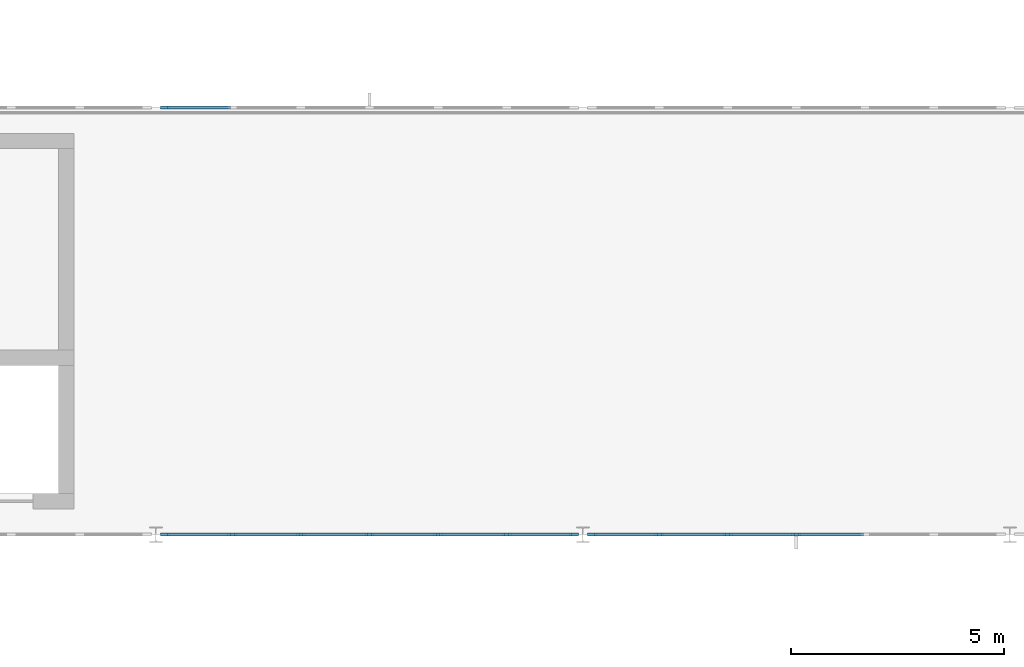
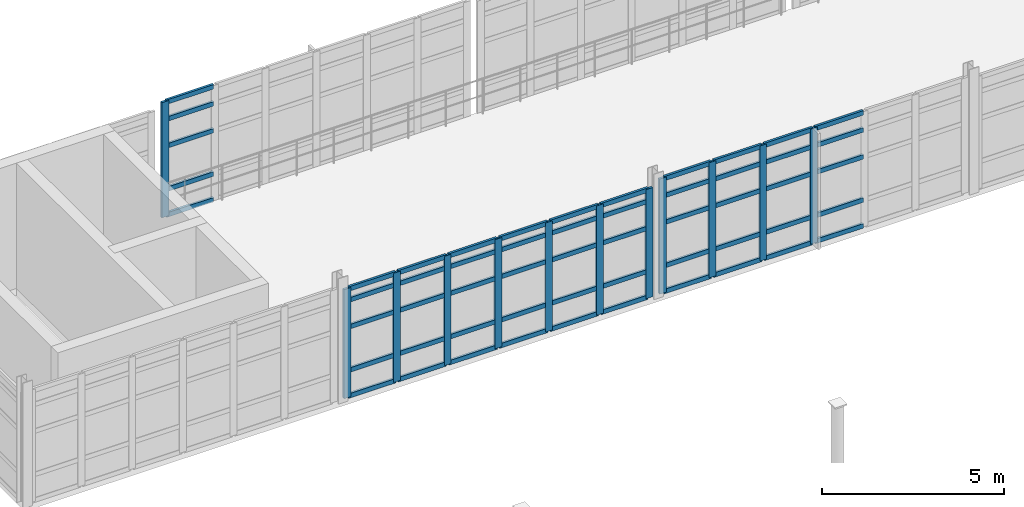
# One storey, part 41 of 122: 67 members, 3 elements without a shape of their own.
"""IFC4 building model written with IfcOpenShell, lengths in metres."""

from ifc_helpers import new_model, si_unit, direction, frame, origin, origin_2d, place, context, subcontext, project, spatial, rectangle, extrude, material, layer, layer_set, material_profile, profile_set, type_object, element, aggregate, save


model = new_model("IFC4")

# Units and contexts
model_context = context("Model", 3, precision=1e-05, world=origin(), true_north=direction((0.0, 1.0)))
body_context = subcontext(model_context, "Body", "Model", "MODEL_VIEW")
ifc_project = project(units=[si_unit("LENGTHUNIT", "METRE"), si_unit("AREAUNIT", "SQUARE_METRE"), si_unit("VOLUMEUNIT", "CUBIC_METRE"), si_unit("PLANEANGLEUNIT", "RADIAN"), si_unit("MASSUNIT", "GRAM", prefix="KILO"), si_unit("THERMODYNAMICTEMPERATUREUNIT", "KELVIN"), si_unit("POWERUNIT", "WATT")], contexts=[model_context])

# Site, building, storey
site_placement = place(None, origin())
site = spatial("IfcSite", under=ifc_project, at=site_placement, CompositionType="ELEMENT")
building_placement = place(site_placement, origin())
building = spatial("IfcBuilding", under=site, at=building_placement, Name="Korenveer Ferry Terminal", CompositionType="ELEMENT")
storey_placement = place(building_placement, frame((0.0, 0.0, 10.199951171875)))
storey = spatial("IfcBuildingStorey", under=building, at=storey_placement, Name="L02", CompositionType="ELEMENT", Elevation=10.199951171875)

# Curtain wall, members
ifc_material_1 = material(Name="Unitised bronze-and-glass curtain wall", Category="glass")
ifc_layer_1 = layer(ifc_material_1, 0.219970703125)
ifc_layer_set_1 = layer_set([ifc_layer_1], Name="Unitised bronze-and-glass curtain wall")
curtain_wall_type_1 = type_object("IfcCurtainWallType", Name="ENV-CW-91", PredefinedType="USERDEFINED", material=ifc_layer_set_1)
curtain_wall_1_placement = place(storey_placement, frame((63.179931640625, 50.0, 0.0)))
curtain_wall_1 = element("IfcCurtainWall", 1, at=curtain_wall_1_placement, inside=storey, type_object=curtain_wall_type_1, Name="Lancet curtain wall CWX-L02-X63-73-Y50-50", ObjectType="UNITISED CURTAIN WALL", PredefinedType="USERDEFINED")
ifc_material_2 = material(Name="Anodised bronze aluminium", Category="aluminium")
ifc_material_profile_1 = material_profile(ifc_material_2, rectangle(XDim=0.074951171875, YDim=0.219970703125, at=origin_2d()), Name="ALU 75x220")
ifc_profile_set_1 = profile_set([ifc_material_profile_1], Name="Anodised bronze aluminium")
member_type_1 = type_object("IfcMemberType", Name="ENV-CWM-75X220", PredefinedType="MULLION", material=ifc_profile_set_1)
member_1_placement = place(storey_placement, frame((63.217529296875, 50.0, 0.0), z_axis=(0.0, 0.0, 1.0), x_axis=(0.0, 1.0, 0.0)))
member_1 = element("IfcMember", 2, at=member_1_placement, type_object=member_type_1, Name="CW-91 mullion 1", PredefinedType="MULLION", context=body_context, shape_type="SweptSolid", body=[
    extrude(rectangle(XDim=0.074951171875, YDim=0.219970703125, at=origin_2d()), origin(), (0.0, 0.0, 1.0), 3.66015625),
])
member_2_placement = place(storey_placement, frame((64.78662109375, 50.0, 0.0), z_axis=(0.0, 0.0, 1.0), x_axis=(0.0, 1.0, 0.0)))
member_2 = element("IfcMember", 3, at=member_2_placement, type_object=member_type_1, Name="CW-91 mullion 2", PredefinedType="MULLION", context=body_context, shape_type="SweptSolid", body=[
    extrude(rectangle(XDim=0.074951171875, YDim=0.219970703125, at=origin_2d()), origin(), (0.0, 0.0, 1.0), 3.66015625),
])
member_3_placement = place(storey_placement, frame((66.393310546875, 50.0, 0.0), z_axis=(0.0, 0.0, 1.0), x_axis=(0.0, 1.0, 0.0)))
member_3 = element("IfcMember", 4, at=member_3_placement, type_object=member_type_1, Name="CW-91 mullion 3", PredefinedType="MULLION", context=body_context, shape_type="SweptSolid", body=[
    extrude(rectangle(XDim=0.074951171875, YDim=0.219970703125, at=origin_2d()), origin(), (0.0, 0.0, 1.0), 3.66015625),
])
member_4_placement = place(storey_placement, frame((68.0, 50.0, 0.0), z_axis=(0.0, 0.0, 1.0), x_axis=(0.0, 1.0, 0.0)))
member_4 = element("IfcMember", 5, at=member_4_placement, type_object=member_type_1, Name="CW-91 mullion 4", PredefinedType="MULLION", context=body_context, shape_type="SweptSolid", body=[
    extrude(rectangle(XDim=0.074951171875, YDim=0.219970703125, at=origin_2d()), origin(), (0.0, 0.0, 1.0), 3.66015625),
])
member_5_placement = place(storey_placement, frame((69.606689453125, 50.0, 0.0), z_axis=(0.0, 0.0, 1.0), x_axis=(0.0, 1.0, 0.0)))
member_5 = element("IfcMember", 6, at=member_5_placement, type_object=member_type_1, Name="CW-91 mullion 5", PredefinedType="MULLION", context=body_context, shape_type="SweptSolid", body=[
    extrude(rectangle(XDim=0.074951171875, YDim=0.219970703125, at=origin_2d()), origin(), (0.0, 0.0, 1.0), 3.66015625),
])
member_6_placement = place(storey_placement, frame((71.21337890625, 50.0, 0.0), z_axis=(0.0, 0.0, 1.0), x_axis=(0.0, 1.0, 0.0)))
member_6 = element("IfcMember", 7, at=member_6_placement, type_object=member_type_1, Name="CW-91 mullion 6", PredefinedType="MULLION", context=body_context, shape_type="SweptSolid", body=[
    extrude(rectangle(XDim=0.074951171875, YDim=0.219970703125, at=origin_2d()), origin(), (0.0, 0.0, 1.0), 3.66015625),
])
member_7_placement = place(storey_placement, frame((72.782470703125, 50.0, 0.0), z_axis=(0.0, 0.0, 1.0), x_axis=(0.0, 1.0, 0.0)))
member_7 = element("IfcMember", 8, at=member_7_placement, type_object=member_type_1, Name="CW-91 mullion 7", PredefinedType="MULLION", context=body_context, shape_type="SweptSolid", body=[
    extrude(rectangle(XDim=0.074951171875, YDim=0.219970703125, at=origin_2d()), origin(), (0.0, 0.0, 1.0), 3.66015625),
])

ifc_layer_2 = layer(ifc_material_1, 0.219970703125)
ifc_layer_set_2 = layer_set([ifc_layer_2], Name="Unitised bronze-and-glass curtain wall")
curtain_wall_type_2 = type_object("IfcCurtainWallType", Name="ENV-CW-92", PredefinedType="USERDEFINED", material=ifc_layer_set_2)
curtain_wall_2_placement = place(storey_placement, frame((73.179931640625, 50.0, 0.0)))
curtain_wall_2 = element("IfcCurtainWall", 9, at=curtain_wall_2_placement, inside=storey, type_object=curtain_wall_type_2, Name="Lancet curtain wall CWX-L02-X73-83-Y50-50", ObjectType="UNITISED CURTAIN WALL", PredefinedType="USERDEFINED")
member_8_placement = place(storey_placement, frame((73.217529296875, 50.0, 0.0), z_axis=(0.0, 0.0, 1.0), x_axis=(0.0, 1.0, 0.0)))
member_8 = element("IfcMember", 10, at=member_8_placement, type_object=member_type_1, Name="CW-92 mullion 1", PredefinedType="MULLION", context=body_context, shape_type="SweptSolid", body=[
    extrude(rectangle(XDim=0.074951171875, YDim=0.219970703125, at=origin_2d()), origin(), (0.0, 0.0, 1.0), 3.860107421875),
])
member_9_placement = place(storey_placement, frame((74.78662109375, 50.0, 0.0), z_axis=(0.0, 0.0, 1.0), x_axis=(0.0, 1.0, 0.0)))
member_9 = element("IfcMember", 11, at=member_9_placement, type_object=member_type_1, Name="CW-92 mullion 2", PredefinedType="MULLION", context=body_context, shape_type="SweptSolid", body=[
    extrude(rectangle(XDim=0.074951171875, YDim=0.219970703125, at=origin_2d()), origin(), (0.0, 0.0, 1.0), 3.860107421875),
])
member_10_placement = place(storey_placement, frame((76.393310546875, 50.0, 0.0), z_axis=(0.0, 0.0, 1.0), x_axis=(0.0, 1.0, 0.0)))
member_10 = element("IfcMember", 12, at=member_10_placement, type_object=member_type_1, Name="CW-92 mullion 3", PredefinedType="MULLION", context=body_context, shape_type="SweptSolid", body=[
    extrude(rectangle(XDim=0.074951171875, YDim=0.219970703125, at=origin_2d()), origin(), (0.0, 0.0, 1.0), 3.860107421875),
])
member_11_placement = place(storey_placement, frame((78.0, 50.0, 0.0), z_axis=(0.0, 0.0, 1.0), x_axis=(0.0, 1.0, 0.0)))
member_11 = element("IfcMember", 13, at=member_11_placement, type_object=member_type_1, Name="CW-92 mullion 4", PredefinedType="MULLION", context=body_context, shape_type="SweptSolid", body=[
    extrude(rectangle(XDim=0.074951171875, YDim=0.219970703125, at=origin_2d()), origin(), (0.0, 0.0, 1.0), 3.860107421875),
])

# Curtain wall, member
curtain_wall_3_placement = place(storey_placement, frame((63.179931640625, 60.0, 0.0)))
curtain_wall_3 = element("IfcCurtainWall", 14, at=curtain_wall_3_placement, inside=storey, type_object=curtain_wall_type_2, Name="Lancet curtain wall CWX-L02-X63-73-Y60-60", ObjectType="UNITISED CURTAIN WALL", PredefinedType="USERDEFINED")
member_12_placement = place(storey_placement, frame((63.217529296875, 60.0, 0.0), z_axis=(0.0, 0.0, 1.0), x_axis=(0.0, 1.0, 0.0)))
member_12 = element("IfcMember", 15, at=member_12_placement, type_object=member_type_1, Name="CW-92 mullion 1", PredefinedType="MULLION", context=body_context, shape_type="SweptSolid", body=[
    extrude(rectangle(XDim=0.074951171875, YDim=0.219970703125, at=origin_2d()), origin(), (0.0, 0.0, 1.0), 3.860107421875),
])

# Member
ifc_material_profile_2 = material_profile(ifc_material_2, rectangle(XDim=0.074951171875, YDim=0.14990234375, at=origin_2d()), Name="ALU 75x150")
ifc_profile_set_2 = profile_set([ifc_material_profile_2], Name="Anodised bronze aluminium")
member_type_2 = type_object("IfcMemberType", Name="ENV-CWT-75X150", PredefinedType="USERDEFINED", material=ifc_profile_set_2)
member_13_placement = place(storey_placement, frame((63.2548828125, 50.0, 0.03759765625), z_axis=(1.0, 0.0, 0.0), x_axis=(0.0, 1.0, 0.0)))
member_13 = element("IfcMember", 16, at=member_13_placement, type_object=member_type_2, Name="CW-91 transom 1.1", ObjectType="TRANSOM", PredefinedType="USERDEFINED", context=body_context, shape_type="SweptSolid", body=[
    extrude(rectangle(XDim=0.074951171875, YDim=0.14990234375, at=origin_2d()), origin(), (0.0, 0.0, 1.0), 1.494384765625),
])

member_14_placement = place(storey_placement, frame((63.2548828125, 50.0, 0.900146484375), z_axis=(1.0, 0.0, 0.0), x_axis=(0.0, 1.0, 0.0)))
member_14 = element("IfcMember", 17, at=member_14_placement, type_object=member_type_2, Name="CW-91 transom 1.2", ObjectType="TRANSOM", PredefinedType="USERDEFINED", context=body_context, shape_type="SweptSolid", body=[
    extrude(rectangle(XDim=0.074951171875, YDim=0.14990234375, at=origin_2d()), origin(), (0.0, 0.0, 1.0), 1.494384765625),
])

member_15_placement = place(storey_placement, frame((63.2548828125, 50.0, 2.35009765625), z_axis=(1.0, 0.0, 0.0), x_axis=(0.0, 1.0, 0.0)))
member_15 = element("IfcMember", 18, at=member_15_placement, type_object=member_type_2, Name="CW-91 transom 1.3", ObjectType="TRANSOM", PredefinedType="USERDEFINED", context=body_context, shape_type="SweptSolid", body=[
    extrude(rectangle(XDim=0.074951171875, YDim=0.14990234375, at=origin_2d()), origin(), (0.0, 0.0, 1.0), 1.494384765625),
])

member_16_placement = place(storey_placement, frame((63.2548828125, 50.0, 3.25), z_axis=(1.0, 0.0, 0.0), x_axis=(0.0, 1.0, 0.0)))
member_16 = element("IfcMember", 19, at=member_16_placement, type_object=member_type_2, Name="CW-91 transom 1.4", ObjectType="TRANSOM", PredefinedType="USERDEFINED", context=body_context, shape_type="SweptSolid", body=[
    extrude(rectangle(XDim=0.074951171875, YDim=0.14990234375, at=origin_2d()), origin(), (0.0, 0.0, 1.0), 1.494384765625),
])

member_17_placement = place(storey_placement, frame((63.2548828125, 50.0, 3.62255859375), z_axis=(1.0, 0.0, 0.0), x_axis=(0.0, 1.0, 0.0)))
member_17 = element("IfcMember", 20, at=member_17_placement, type_object=member_type_2, Name="CW-91 transom 1.5", ObjectType="TRANSOM", PredefinedType="USERDEFINED", context=body_context, shape_type="SweptSolid", body=[
    extrude(rectangle(XDim=0.074951171875, YDim=0.14990234375, at=origin_2d()), origin(), (0.0, 0.0, 1.0), 1.494384765625),
])

member_18_placement = place(storey_placement, frame((64.82421875, 50.0, 0.03759765625), z_axis=(1.0, 0.0, 0.0), x_axis=(0.0, 1.0, 0.0)))
member_18 = element("IfcMember", 21, at=member_18_placement, type_object=member_type_2, Name="CW-91 transom 2.1", ObjectType="TRANSOM", PredefinedType="USERDEFINED", context=body_context, shape_type="SweptSolid", body=[
    extrude(rectangle(XDim=0.074951171875, YDim=0.14990234375, at=origin_2d()), origin(), (0.0, 0.0, 1.0), 1.531494140625),
])

member_19_placement = place(storey_placement, frame((64.82421875, 50.0, 0.900146484375), z_axis=(1.0, 0.0, 0.0), x_axis=(0.0, 1.0, 0.0)))
member_19 = element("IfcMember", 22, at=member_19_placement, type_object=member_type_2, Name="CW-91 transom 2.2", ObjectType="TRANSOM", PredefinedType="USERDEFINED", context=body_context, shape_type="SweptSolid", body=[
    extrude(rectangle(XDim=0.074951171875, YDim=0.14990234375, at=origin_2d()), origin(), (0.0, 0.0, 1.0), 1.531494140625),
])

member_20_placement = place(storey_placement, frame((64.82421875, 50.0, 2.35009765625), z_axis=(1.0, 0.0, 0.0), x_axis=(0.0, 1.0, 0.0)))
member_20 = element("IfcMember", 23, at=member_20_placement, type_object=member_type_2, Name="CW-91 transom 2.3", ObjectType="TRANSOM", PredefinedType="USERDEFINED", context=body_context, shape_type="SweptSolid", body=[
    extrude(rectangle(XDim=0.074951171875, YDim=0.14990234375, at=origin_2d()), origin(), (0.0, 0.0, 1.0), 1.531494140625),
])

member_21_placement = place(storey_placement, frame((64.82421875, 50.0, 3.25), z_axis=(1.0, 0.0, 0.0), x_axis=(0.0, 1.0, 0.0)))
member_21 = element("IfcMember", 24, at=member_21_placement, type_object=member_type_2, Name="CW-91 transom 2.4", ObjectType="TRANSOM", PredefinedType="USERDEFINED", context=body_context, shape_type="SweptSolid", body=[
    extrude(rectangle(XDim=0.074951171875, YDim=0.14990234375, at=origin_2d()), origin(), (0.0, 0.0, 1.0), 1.531494140625),
])

member_22_placement = place(storey_placement, frame((64.82421875, 50.0, 3.62255859375), z_axis=(1.0, 0.0, 0.0), x_axis=(0.0, 1.0, 0.0)))
member_22 = element("IfcMember", 25, at=member_22_placement, type_object=member_type_2, Name="CW-91 transom 2.5", ObjectType="TRANSOM", PredefinedType="USERDEFINED", context=body_context, shape_type="SweptSolid", body=[
    extrude(rectangle(XDim=0.074951171875, YDim=0.14990234375, at=origin_2d()), origin(), (0.0, 0.0, 1.0), 1.531494140625),
])

member_23_placement = place(storey_placement, frame((66.430908203125, 50.0, 0.03759765625), z_axis=(1.0, 0.0, 0.0), x_axis=(0.0, 1.0, 0.0)))
member_23 = element("IfcMember", 26, at=member_23_placement, type_object=member_type_2, Name="CW-91 transom 3.1", ObjectType="TRANSOM", PredefinedType="USERDEFINED", context=body_context, shape_type="SweptSolid", body=[
    extrude(rectangle(XDim=0.074951171875, YDim=0.14990234375, at=origin_2d()), origin(), (0.0, 0.0, 1.0), 1.531494140625),
])

member_24_placement = place(storey_placement, frame((66.430908203125, 50.0, 0.900146484375), z_axis=(1.0, 0.0, 0.0), x_axis=(0.0, 1.0, 0.0)))
member_24 = element("IfcMember", 27, at=member_24_placement, type_object=member_type_2, Name="CW-91 transom 3.2", ObjectType="TRANSOM", PredefinedType="USERDEFINED", context=body_context, shape_type="SweptSolid", body=[
    extrude(rectangle(XDim=0.074951171875, YDim=0.14990234375, at=origin_2d()), origin(), (0.0, 0.0, 1.0), 1.531494140625),
])

member_25_placement = place(storey_placement, frame((66.430908203125, 50.0, 2.35009765625), z_axis=(1.0, 0.0, 0.0), x_axis=(0.0, 1.0, 0.0)))
member_25 = element("IfcMember", 28, at=member_25_placement, type_object=member_type_2, Name="CW-91 transom 3.3", ObjectType="TRANSOM", PredefinedType="USERDEFINED", context=body_context, shape_type="SweptSolid", body=[
    extrude(rectangle(XDim=0.074951171875, YDim=0.14990234375, at=origin_2d()), origin(), (0.0, 0.0, 1.0), 1.531494140625),
])

member_26_placement = place(storey_placement, frame((66.430908203125, 50.0, 3.25), z_axis=(1.0, 0.0, 0.0), x_axis=(0.0, 1.0, 0.0)))
member_26 = element("IfcMember", 29, at=member_26_placement, type_object=member_type_2, Name="CW-91 transom 3.4", ObjectType="TRANSOM", PredefinedType="USERDEFINED", context=body_context, shape_type="SweptSolid", body=[
    extrude(rectangle(XDim=0.074951171875, YDim=0.14990234375, at=origin_2d()), origin(), (0.0, 0.0, 1.0), 1.531494140625),
])

member_27_placement = place(storey_placement, frame((66.430908203125, 50.0, 3.62255859375), z_axis=(1.0, 0.0, 0.0), x_axis=(0.0, 1.0, 0.0)))
member_27 = element("IfcMember", 30, at=member_27_placement, type_object=member_type_2, Name="CW-91 transom 3.5", ObjectType="TRANSOM", PredefinedType="USERDEFINED", context=body_context, shape_type="SweptSolid", body=[
    extrude(rectangle(XDim=0.074951171875, YDim=0.14990234375, at=origin_2d()), origin(), (0.0, 0.0, 1.0), 1.531494140625),
])

member_28_placement = place(storey_placement, frame((68.03759765625, 50.0, 0.03759765625), z_axis=(1.0, 0.0, 0.0), x_axis=(0.0, 1.0, 0.0)))
member_28 = element("IfcMember", 31, at=member_28_placement, type_object=member_type_2, Name="CW-91 transom 4.1", ObjectType="TRANSOM", PredefinedType="USERDEFINED", context=body_context, shape_type="SweptSolid", body=[
    extrude(rectangle(XDim=0.074951171875, YDim=0.14990234375, at=origin_2d()), origin(), (0.0, 0.0, 1.0), 1.531494140625),
])

member_29_placement = place(storey_placement, frame((68.03759765625, 50.0, 0.900146484375), z_axis=(1.0, 0.0, 0.0), x_axis=(0.0, 1.0, 0.0)))
member_29 = element("IfcMember", 32, at=member_29_placement, type_object=member_type_2, Name="CW-91 transom 4.2", ObjectType="TRANSOM", PredefinedType="USERDEFINED", context=body_context, shape_type="SweptSolid", body=[
    extrude(rectangle(XDim=0.074951171875, YDim=0.14990234375, at=origin_2d()), origin(), (0.0, 0.0, 1.0), 1.531494140625),
])

member_30_placement = place(storey_placement, frame((68.03759765625, 50.0, 2.35009765625), z_axis=(1.0, 0.0, 0.0), x_axis=(0.0, 1.0, 0.0)))
member_30 = element("IfcMember", 33, at=member_30_placement, type_object=member_type_2, Name="CW-91 transom 4.3", ObjectType="TRANSOM", PredefinedType="USERDEFINED", context=body_context, shape_type="SweptSolid", body=[
    extrude(rectangle(XDim=0.074951171875, YDim=0.14990234375, at=origin_2d()), origin(), (0.0, 0.0, 1.0), 1.531494140625),
])

member_31_placement = place(storey_placement, frame((68.03759765625, 50.0, 3.25), z_axis=(1.0, 0.0, 0.0), x_axis=(0.0, 1.0, 0.0)))
member_31 = element("IfcMember", 34, at=member_31_placement, type_object=member_type_2, Name="CW-91 transom 4.4", ObjectType="TRANSOM", PredefinedType="USERDEFINED", context=body_context, shape_type="SweptSolid", body=[
    extrude(rectangle(XDim=0.074951171875, YDim=0.14990234375, at=origin_2d()), origin(), (0.0, 0.0, 1.0), 1.531494140625),
])

member_32_placement = place(storey_placement, frame((68.03759765625, 50.0, 3.62255859375), z_axis=(1.0, 0.0, 0.0), x_axis=(0.0, 1.0, 0.0)))
member_32 = element("IfcMember", 35, at=member_32_placement, type_object=member_type_2, Name="CW-91 transom 4.5", ObjectType="TRANSOM", PredefinedType="USERDEFINED", context=body_context, shape_type="SweptSolid", body=[
    extrude(rectangle(XDim=0.074951171875, YDim=0.14990234375, at=origin_2d()), origin(), (0.0, 0.0, 1.0), 1.531494140625),
])

member_33_placement = place(storey_placement, frame((69.644287109375, 50.0, 0.03759765625), z_axis=(1.0, 0.0, 0.0), x_axis=(0.0, 1.0, 0.0)))
member_33 = element("IfcMember", 36, at=member_33_placement, type_object=member_type_2, Name="CW-91 transom 5.1", ObjectType="TRANSOM", PredefinedType="USERDEFINED", context=body_context, shape_type="SweptSolid", body=[
    extrude(rectangle(XDim=0.074951171875, YDim=0.14990234375, at=origin_2d()), origin(), (0.0, 0.0, 1.0), 1.531494140625),
])

member_34_placement = place(storey_placement, frame((69.644287109375, 50.0, 0.900146484375), z_axis=(1.0, 0.0, 0.0), x_axis=(0.0, 1.0, 0.0)))
member_34 = element("IfcMember", 37, at=member_34_placement, type_object=member_type_2, Name="CW-91 transom 5.2", ObjectType="TRANSOM", PredefinedType="USERDEFINED", context=body_context, shape_type="SweptSolid", body=[
    extrude(rectangle(XDim=0.074951171875, YDim=0.14990234375, at=origin_2d()), origin(), (0.0, 0.0, 1.0), 1.531494140625),
])

member_35_placement = place(storey_placement, frame((69.644287109375, 50.0, 2.35009765625), z_axis=(1.0, 0.0, 0.0), x_axis=(0.0, 1.0, 0.0)))
member_35 = element("IfcMember", 38, at=member_35_placement, type_object=member_type_2, Name="CW-91 transom 5.3", ObjectType="TRANSOM", PredefinedType="USERDEFINED", context=body_context, shape_type="SweptSolid", body=[
    extrude(rectangle(XDim=0.074951171875, YDim=0.14990234375, at=origin_2d()), origin(), (0.0, 0.0, 1.0), 1.531494140625),
])

member_36_placement = place(storey_placement, frame((69.644287109375, 50.0, 3.25), z_axis=(1.0, 0.0, 0.0), x_axis=(0.0, 1.0, 0.0)))
member_36 = element("IfcMember", 39, at=member_36_placement, type_object=member_type_2, Name="CW-91 transom 5.4", ObjectType="TRANSOM", PredefinedType="USERDEFINED", context=body_context, shape_type="SweptSolid", body=[
    extrude(rectangle(XDim=0.074951171875, YDim=0.14990234375, at=origin_2d()), origin(), (0.0, 0.0, 1.0), 1.531494140625),
])

member_37_placement = place(storey_placement, frame((69.644287109375, 50.0, 3.62255859375), z_axis=(1.0, 0.0, 0.0), x_axis=(0.0, 1.0, 0.0)))
member_37 = element("IfcMember", 40, at=member_37_placement, type_object=member_type_2, Name="CW-91 transom 5.5", ObjectType="TRANSOM", PredefinedType="USERDEFINED", context=body_context, shape_type="SweptSolid", body=[
    extrude(rectangle(XDim=0.074951171875, YDim=0.14990234375, at=origin_2d()), origin(), (0.0, 0.0, 1.0), 1.531494140625),
])

member_38_placement = place(storey_placement, frame((71.250732421875, 50.0, 0.03759765625), z_axis=(1.0, 0.0, 0.0), x_axis=(0.0, 1.0, 0.0)))
member_38 = element("IfcMember", 41, at=member_38_placement, type_object=member_type_2, Name="CW-91 transom 6.1", ObjectType="TRANSOM", PredefinedType="USERDEFINED", context=body_context, shape_type="SweptSolid", body=[
    extrude(rectangle(XDim=0.074951171875, YDim=0.14990234375, at=origin_2d()), origin(), (0.0, 0.0, 1.0), 1.494384765625),
])

member_39_placement = place(storey_placement, frame((71.250732421875, 50.0, 0.900146484375), z_axis=(1.0, 0.0, 0.0), x_axis=(0.0, 1.0, 0.0)))
member_39 = element("IfcMember", 42, at=member_39_placement, type_object=member_type_2, Name="CW-91 transom 6.2", ObjectType="TRANSOM", PredefinedType="USERDEFINED", context=body_context, shape_type="SweptSolid", body=[
    extrude(rectangle(XDim=0.074951171875, YDim=0.14990234375, at=origin_2d()), origin(), (0.0, 0.0, 1.0), 1.494384765625),
])

member_40_placement = place(storey_placement, frame((71.250732421875, 50.0, 2.35009765625), z_axis=(1.0, 0.0, 0.0), x_axis=(0.0, 1.0, 0.0)))
member_40 = element("IfcMember", 43, at=member_40_placement, type_object=member_type_2, Name="CW-91 transom 6.3", ObjectType="TRANSOM", PredefinedType="USERDEFINED", context=body_context, shape_type="SweptSolid", body=[
    extrude(rectangle(XDim=0.074951171875, YDim=0.14990234375, at=origin_2d()), origin(), (0.0, 0.0, 1.0), 1.494384765625),
])

member_41_placement = place(storey_placement, frame((71.250732421875, 50.0, 3.25), z_axis=(1.0, 0.0, 0.0), x_axis=(0.0, 1.0, 0.0)))
member_41 = element("IfcMember", 44, at=member_41_placement, type_object=member_type_2, Name="CW-91 transom 6.4", ObjectType="TRANSOM", PredefinedType="USERDEFINED", context=body_context, shape_type="SweptSolid", body=[
    extrude(rectangle(XDim=0.074951171875, YDim=0.14990234375, at=origin_2d()), origin(), (0.0, 0.0, 1.0), 1.494384765625),
])

member_42_placement = place(storey_placement, frame((71.250732421875, 50.0, 3.62255859375), z_axis=(1.0, 0.0, 0.0), x_axis=(0.0, 1.0, 0.0)))
member_42 = element("IfcMember", 45, at=member_42_placement, type_object=member_type_2, Name="CW-91 transom 6.5", ObjectType="TRANSOM", PredefinedType="USERDEFINED", context=body_context, shape_type="SweptSolid", body=[
    extrude(rectangle(XDim=0.074951171875, YDim=0.14990234375, at=origin_2d()), origin(), (0.0, 0.0, 1.0), 1.494384765625),
])

aggregate(curtain_wall_1, [member_1, member_2, member_3, member_4, member_5, member_6, member_7, member_13, member_14, member_15, member_16, member_17, member_18, member_19, member_20, member_21, member_22, member_23, member_24, member_25, member_26, member_27, member_28, member_29, member_30, member_31, member_32, member_33, member_34, member_35, member_36, member_37, member_38, member_39, member_40, member_41, member_42])

member_43_placement = place(storey_placement, frame((73.2548828125, 50.0, 0.03759765625), z_axis=(1.0, 0.0, 0.0), x_axis=(0.0, 1.0, 0.0)))
member_43 = element("IfcMember", 46, at=member_43_placement, type_object=member_type_2, Name="CW-92 transom 1.1", ObjectType="TRANSOM", PredefinedType="USERDEFINED", context=body_context, shape_type="SweptSolid", body=[
    extrude(rectangle(XDim=0.074951171875, YDim=0.14990234375, at=origin_2d()), origin(), (0.0, 0.0, 1.0), 1.494384765625),
])

member_44_placement = place(storey_placement, frame((73.2548828125, 50.0, 0.900146484375), z_axis=(1.0, 0.0, 0.0), x_axis=(0.0, 1.0, 0.0)))
member_44 = element("IfcMember", 47, at=member_44_placement, type_object=member_type_2, Name="CW-92 transom 1.2", ObjectType="TRANSOM", PredefinedType="USERDEFINED", context=body_context, shape_type="SweptSolid", body=[
    extrude(rectangle(XDim=0.074951171875, YDim=0.14990234375, at=origin_2d()), origin(), (0.0, 0.0, 1.0), 1.494384765625),
])

member_45_placement = place(storey_placement, frame((73.2548828125, 50.0, 2.35009765625), z_axis=(1.0, 0.0, 0.0), x_axis=(0.0, 1.0, 0.0)))
member_45 = element("IfcMember", 48, at=member_45_placement, type_object=member_type_2, Name="CW-92 transom 1.3", ObjectType="TRANSOM", PredefinedType="USERDEFINED", context=body_context, shape_type="SweptSolid", body=[
    extrude(rectangle(XDim=0.074951171875, YDim=0.14990234375, at=origin_2d()), origin(), (0.0, 0.0, 1.0), 1.494384765625),
])

member_46_placement = place(storey_placement, frame((73.2548828125, 50.0, 3.25), z_axis=(1.0, 0.0, 0.0), x_axis=(0.0, 1.0, 0.0)))
member_46 = element("IfcMember", 49, at=member_46_placement, type_object=member_type_2, Name="CW-92 transom 1.4", ObjectType="TRANSOM", PredefinedType="USERDEFINED", context=body_context, shape_type="SweptSolid", body=[
    extrude(rectangle(XDim=0.074951171875, YDim=0.14990234375, at=origin_2d()), origin(), (0.0, 0.0, 1.0), 1.494384765625),
])

member_47_placement = place(storey_placement, frame((73.2548828125, 50.0, 3.822509765625), z_axis=(1.0, 0.0, 0.0), x_axis=(0.0, 1.0, 0.0)))
member_47 = element("IfcMember", 50, at=member_47_placement, type_object=member_type_2, Name="CW-92 transom 1.5", ObjectType="TRANSOM", PredefinedType="USERDEFINED", context=body_context, shape_type="SweptSolid", body=[
    extrude(rectangle(XDim=0.074951171875, YDim=0.14990234375, at=origin_2d()), origin(), (0.0, 0.0, 1.0), 1.494384765625),
])

member_48_placement = place(storey_placement, frame((74.82421875, 50.0, 0.03759765625), z_axis=(1.0, 0.0, 0.0), x_axis=(0.0, 1.0, 0.0)))
member_48 = element("IfcMember", 51, at=member_48_placement, type_object=member_type_2, Name="CW-92 transom 2.1", ObjectType="TRANSOM", PredefinedType="USERDEFINED", context=body_context, shape_type="SweptSolid", body=[
    extrude(rectangle(XDim=0.074951171875, YDim=0.14990234375, at=origin_2d()), origin(), (0.0, 0.0, 1.0), 1.531494140625),
])

member_49_placement = place(storey_placement, frame((74.82421875, 50.0, 0.900146484375), z_axis=(1.0, 0.0, 0.0), x_axis=(0.0, 1.0, 0.0)))
member_49 = element("IfcMember", 52, at=member_49_placement, type_object=member_type_2, Name="CW-92 transom 2.2", ObjectType="TRANSOM", PredefinedType="USERDEFINED", context=body_context, shape_type="SweptSolid", body=[
    extrude(rectangle(XDim=0.074951171875, YDim=0.14990234375, at=origin_2d()), origin(), (0.0, 0.0, 1.0), 1.531494140625),
])

member_50_placement = place(storey_placement, frame((74.82421875, 50.0, 2.35009765625), z_axis=(1.0, 0.0, 0.0), x_axis=(0.0, 1.0, 0.0)))
member_50 = element("IfcMember", 53, at=member_50_placement, type_object=member_type_2, Name="CW-92 transom 2.3", ObjectType="TRANSOM", PredefinedType="USERDEFINED", context=body_context, shape_type="SweptSolid", body=[
    extrude(rectangle(XDim=0.074951171875, YDim=0.14990234375, at=origin_2d()), origin(), (0.0, 0.0, 1.0), 1.531494140625),
])

member_51_placement = place(storey_placement, frame((74.82421875, 50.0, 3.25), z_axis=(1.0, 0.0, 0.0), x_axis=(0.0, 1.0, 0.0)))
member_51 = element("IfcMember", 54, at=member_51_placement, type_object=member_type_2, Name="CW-92 transom 2.4", ObjectType="TRANSOM", PredefinedType="USERDEFINED", context=body_context, shape_type="SweptSolid", body=[
    extrude(rectangle(XDim=0.074951171875, YDim=0.14990234375, at=origin_2d()), origin(), (0.0, 0.0, 1.0), 1.531494140625),
])

member_52_placement = place(storey_placement, frame((74.82421875, 50.0, 3.822509765625), z_axis=(1.0, 0.0, 0.0), x_axis=(0.0, 1.0, 0.0)))
member_52 = element("IfcMember", 55, at=member_52_placement, type_object=member_type_2, Name="CW-92 transom 2.5", ObjectType="TRANSOM", PredefinedType="USERDEFINED", context=body_context, shape_type="SweptSolid", body=[
    extrude(rectangle(XDim=0.074951171875, YDim=0.14990234375, at=origin_2d()), origin(), (0.0, 0.0, 1.0), 1.531494140625),
])

member_53_placement = place(storey_placement, frame((76.430908203125, 50.0, 0.03759765625), z_axis=(1.0, 0.0, 0.0), x_axis=(0.0, 1.0, 0.0)))
member_53 = element("IfcMember", 56, at=member_53_placement, type_object=member_type_2, Name="CW-92 transom 3.1", ObjectType="TRANSOM", PredefinedType="USERDEFINED", context=body_context, shape_type="SweptSolid", body=[
    extrude(rectangle(XDim=0.074951171875, YDim=0.14990234375, at=origin_2d()), origin(), (0.0, 0.0, 1.0), 1.531494140625),
])

member_54_placement = place(storey_placement, frame((76.430908203125, 50.0, 0.900146484375), z_axis=(1.0, 0.0, 0.0), x_axis=(0.0, 1.0, 0.0)))
member_54 = element("IfcMember", 57, at=member_54_placement, type_object=member_type_2, Name="CW-92 transom 3.2", ObjectType="TRANSOM", PredefinedType="USERDEFINED", context=body_context, shape_type="SweptSolid", body=[
    extrude(rectangle(XDim=0.074951171875, YDim=0.14990234375, at=origin_2d()), origin(), (0.0, 0.0, 1.0), 1.531494140625),
])

member_55_placement = place(storey_placement, frame((76.430908203125, 50.0, 2.35009765625), z_axis=(1.0, 0.0, 0.0), x_axis=(0.0, 1.0, 0.0)))
member_55 = element("IfcMember", 58, at=member_55_placement, type_object=member_type_2, Name="CW-92 transom 3.3", ObjectType="TRANSOM", PredefinedType="USERDEFINED", context=body_context, shape_type="SweptSolid", body=[
    extrude(rectangle(XDim=0.074951171875, YDim=0.14990234375, at=origin_2d()), origin(), (0.0, 0.0, 1.0), 1.531494140625),
])

member_56_placement = place(storey_placement, frame((76.430908203125, 50.0, 3.25), z_axis=(1.0, 0.0, 0.0), x_axis=(0.0, 1.0, 0.0)))
member_56 = element("IfcMember", 59, at=member_56_placement, type_object=member_type_2, Name="CW-92 transom 3.4", ObjectType="TRANSOM", PredefinedType="USERDEFINED", context=body_context, shape_type="SweptSolid", body=[
    extrude(rectangle(XDim=0.074951171875, YDim=0.14990234375, at=origin_2d()), origin(), (0.0, 0.0, 1.0), 1.531494140625),
])

member_57_placement = place(storey_placement, frame((76.430908203125, 50.0, 3.822509765625), z_axis=(1.0, 0.0, 0.0), x_axis=(0.0, 1.0, 0.0)))
member_57 = element("IfcMember", 60, at=member_57_placement, type_object=member_type_2, Name="CW-92 transom 3.5", ObjectType="TRANSOM", PredefinedType="USERDEFINED", context=body_context, shape_type="SweptSolid", body=[
    extrude(rectangle(XDim=0.074951171875, YDim=0.14990234375, at=origin_2d()), origin(), (0.0, 0.0, 1.0), 1.531494140625),
])

member_58_placement = place(storey_placement, frame((78.03759765625, 50.0, 0.03759765625), z_axis=(1.0, 0.0, 0.0), x_axis=(0.0, 1.0, 0.0)))
member_58 = element("IfcMember", 61, at=member_58_placement, type_object=member_type_2, Name="CW-92 transom 4.1", ObjectType="TRANSOM", PredefinedType="USERDEFINED", context=body_context, shape_type="SweptSolid", body=[
    extrude(rectangle(XDim=0.074951171875, YDim=0.14990234375, at=origin_2d()), origin(), (0.0, 0.0, 1.0), 1.531494140625),
])

member_59_placement = place(storey_placement, frame((78.03759765625, 50.0, 0.900146484375), z_axis=(1.0, 0.0, 0.0), x_axis=(0.0, 1.0, 0.0)))
member_59 = element("IfcMember", 62, at=member_59_placement, type_object=member_type_2, Name="CW-92 transom 4.2", ObjectType="TRANSOM", PredefinedType="USERDEFINED", context=body_context, shape_type="SweptSolid", body=[
    extrude(rectangle(XDim=0.074951171875, YDim=0.14990234375, at=origin_2d()), origin(), (0.0, 0.0, 1.0), 1.531494140625),
])

member_60_placement = place(storey_placement, frame((78.03759765625, 50.0, 2.35009765625), z_axis=(1.0, 0.0, 0.0), x_axis=(0.0, 1.0, 0.0)))
member_60 = element("IfcMember", 63, at=member_60_placement, type_object=member_type_2, Name="CW-92 transom 4.3", ObjectType="TRANSOM", PredefinedType="USERDEFINED", context=body_context, shape_type="SweptSolid", body=[
    extrude(rectangle(XDim=0.074951171875, YDim=0.14990234375, at=origin_2d()), origin(), (0.0, 0.0, 1.0), 1.531494140625),
])

member_61_placement = place(storey_placement, frame((78.03759765625, 50.0, 3.25), z_axis=(1.0, 0.0, 0.0), x_axis=(0.0, 1.0, 0.0)))
member_61 = element("IfcMember", 64, at=member_61_placement, type_object=member_type_2, Name="CW-92 transom 4.4", ObjectType="TRANSOM", PredefinedType="USERDEFINED", context=body_context, shape_type="SweptSolid", body=[
    extrude(rectangle(XDim=0.074951171875, YDim=0.14990234375, at=origin_2d()), origin(), (0.0, 0.0, 1.0), 1.531494140625),
])

member_62_placement = place(storey_placement, frame((78.03759765625, 50.0, 3.822509765625), z_axis=(1.0, 0.0, 0.0), x_axis=(0.0, 1.0, 0.0)))
member_62 = element("IfcMember", 65, at=member_62_placement, type_object=member_type_2, Name="CW-92 transom 4.5", ObjectType="TRANSOM", PredefinedType="USERDEFINED", context=body_context, shape_type="SweptSolid", body=[
    extrude(rectangle(XDim=0.074951171875, YDim=0.14990234375, at=origin_2d()), origin(), (0.0, 0.0, 1.0), 1.531494140625),
])

aggregate(curtain_wall_2, [member_8, member_9, member_10, member_11, member_43, member_44, member_45, member_46, member_47, member_48, member_49, member_50, member_51, member_52, member_53, member_54, member_55, member_56, member_57, member_58, member_59, member_60, member_61, member_62])

member_63_placement = place(storey_placement, frame((63.2548828125, 60.0, 0.03759765625), z_axis=(1.0, 0.0, 0.0), x_axis=(0.0, 1.0, 0.0)))
member_63 = element("IfcMember", 66, at=member_63_placement, type_object=member_type_2, Name="CW-92 transom 1.1", ObjectType="TRANSOM", PredefinedType="USERDEFINED", context=body_context, shape_type="SweptSolid", body=[
    extrude(rectangle(XDim=0.074951171875, YDim=0.14990234375, at=origin_2d()), origin(), (0.0, 0.0, 1.0), 1.494384765625),
])

member_64_placement = place(storey_placement, frame((63.2548828125, 60.0, 0.900146484375), z_axis=(1.0, 0.0, 0.0), x_axis=(0.0, 1.0, 0.0)))
member_64 = element("IfcMember", 67, at=member_64_placement, type_object=member_type_2, Name="CW-92 transom 1.2", ObjectType="TRANSOM", PredefinedType="USERDEFINED", context=body_context, shape_type="SweptSolid", body=[
    extrude(rectangle(XDim=0.074951171875, YDim=0.14990234375, at=origin_2d()), origin(), (0.0, 0.0, 1.0), 1.494384765625),
])

member_65_placement = place(storey_placement, frame((63.2548828125, 60.0, 2.35009765625), z_axis=(1.0, 0.0, 0.0), x_axis=(0.0, 1.0, 0.0)))
member_65 = element("IfcMember", 68, at=member_65_placement, type_object=member_type_2, Name="CW-92 transom 1.3", ObjectType="TRANSOM", PredefinedType="USERDEFINED", context=body_context, shape_type="SweptSolid", body=[
    extrude(rectangle(XDim=0.074951171875, YDim=0.14990234375, at=origin_2d()), origin(), (0.0, 0.0, 1.0), 1.494384765625),
])

member_66_placement = place(storey_placement, frame((63.2548828125, 60.0, 3.25), z_axis=(1.0, 0.0, 0.0), x_axis=(0.0, 1.0, 0.0)))
member_66 = element("IfcMember", 69, at=member_66_placement, type_object=member_type_2, Name="CW-92 transom 1.4", ObjectType="TRANSOM", PredefinedType="USERDEFINED", context=body_context, shape_type="SweptSolid", body=[
    extrude(rectangle(XDim=0.074951171875, YDim=0.14990234375, at=origin_2d()), origin(), (0.0, 0.0, 1.0), 1.494384765625),
])

member_67_placement = place(storey_placement, frame((63.2548828125, 60.0, 3.822509765625), z_axis=(1.0, 0.0, 0.0), x_axis=(0.0, 1.0, 0.0)))
member_67 = element("IfcMember", 70, at=member_67_placement, type_object=member_type_2, Name="CW-92 transom 1.5", ObjectType="TRANSOM", PredefinedType="USERDEFINED", context=body_context, shape_type="SweptSolid", body=[
    extrude(rectangle(XDim=0.074951171875, YDim=0.14990234375, at=origin_2d()), origin(), (0.0, 0.0, 1.0), 1.494384765625),
])

aggregate(curtain_wall_3, [member_12, member_63, member_64, member_65, member_66, member_67])

save(model, "model.ifc")
